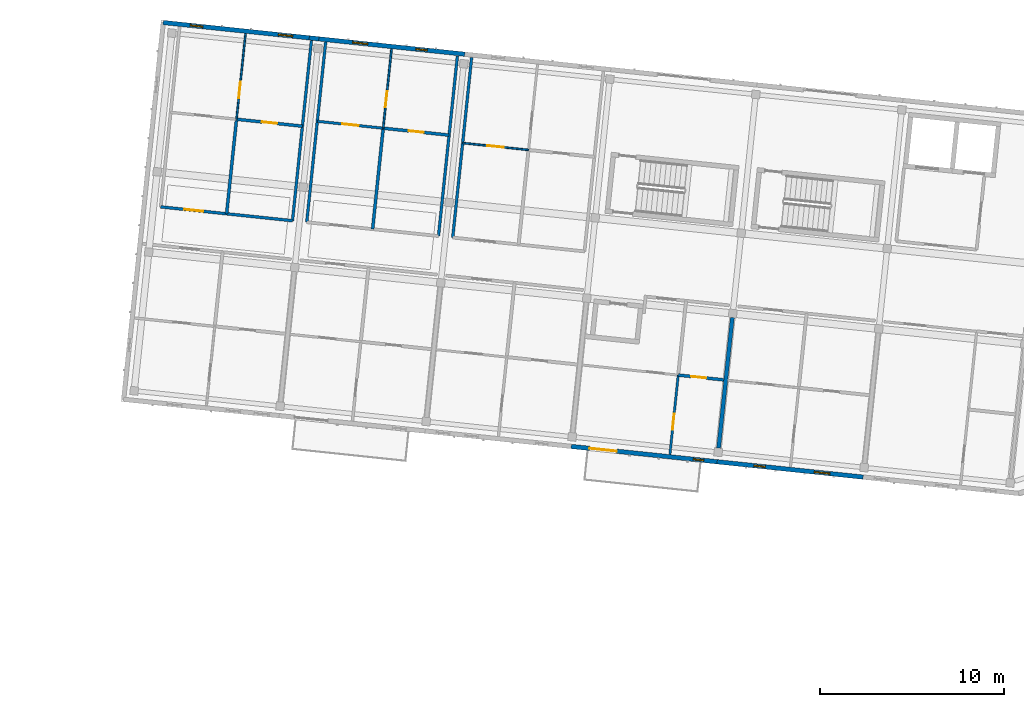
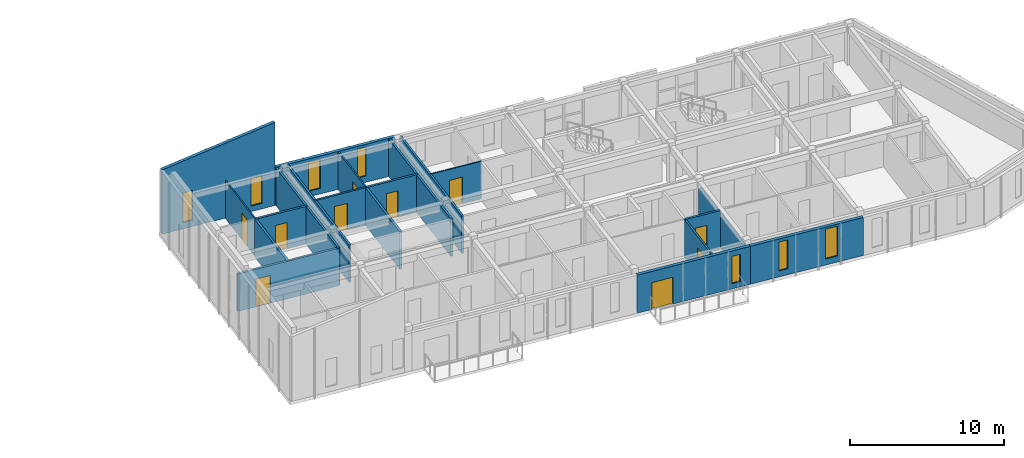
# One storey, part 25 of 45: 21 walls, 10 doors, 7 windows, 17 openings.
"""IFC4 building model written with IfcOpenShell, lengths in metres."""

from ifc_helpers import new_model, si_unit, direction, frame, frame_2d, origin, place, context, subcontext, project, spatial, polyline, rectangle, outline, extrude, material, layer, layer_set, type_object, element, fill, save


model = new_model("IFC4")

# Units and contexts
model_context = context("Model", 3, precision=1e-05, world=origin(), true_north=direction((0.0, 1.0)))
body_context = subcontext(model_context, "Body", "Model", "MODEL_VIEW")
ifc_project = project(units=[si_unit("LENGTHUNIT", "METRE"), si_unit("AREAUNIT", "SQUARE_METRE"), si_unit("VOLUMEUNIT", "CUBIC_METRE"), si_unit("PLANEANGLEUNIT", "RADIAN"), si_unit("MASSUNIT", "GRAM", prefix="KILO")], contexts=[model_context])

# Site, building, storey
site_placement = place(None, origin())
site = spatial("IfcSite", under=ifc_project, at=site_placement, CompositionType="ELEMENT")
building_placement = place(site_placement, origin())
building = spatial("IfcBuilding", under=site, at=building_placement, Name="Kestramere Prow Commons", CompositionType="ELEMENT")
storey_placement = place(building_placement, frame((0.0, 0.0, 31.14990234375)))
storey = spatial("IfcBuildingStorey", under=building, at=storey_placement, Name="L09", CompositionType="ELEMENT", Elevation=31.14990234375)

# Wall, openings, door, window
ifc_material_1 = material(Name="Fluoropolymer Standing-Seam Zinc-Aluminium Cladding", Category="aluminium")
ifc_layer_1 = layer(ifc_material_1, 0.239990234375)
ifc_layer_set_1 = layer_set([ifc_layer_1], Name="Fluoropolymer Standing-Seam Zinc-Aluminium Cladding")
wall_type_1 = type_object("IfcWallType", Name="EW-SEAM-240", PredefinedType="SOLIDWALL", material=ifc_layer_set_1)
wall_1_placement = place(storey_placement, frame((141.769775390625, 90.932861328125, 0.0), z_axis=(0.0, 0.0, 1.0), x_axis=(-0.994519156568, 0.104554517933, 0.0)))
wall_1 = element("IfcWall", 1, at=wall_1_placement, inside=storey, type_object=wall_type_1, Name="Block B L09 South Standing-Seam Wall 4", PredefinedType="SOLIDWALL", context=body_context, shape_type="SweptSolid", body=[
    extrude(rectangle(XDim=8.0, YDim=0.239990234375, at=frame_2d((4.0, 0.0))), origin(), (0.0, 0.0, 1.0), 3.0),
])
opening_1_placement = place(wall_1_placement, frame((5.4951171875, 0.0, 0.0)))
opening_1 = element("IfcOpeningElement", 2, at=opening_1_placement, cuts=wall_1, Name="Opening GD-BAL-01", PredefinedType="OPENING", context=body_context, shape_type="SweptSolid", body=[
    extrude(rectangle(XDim=1.5, YDim=2.1201171875, at=frame_2d((0.75, 1.06005859375))), frame((0.0, 0.135009765625, 0.0), z_axis=(0.0, -1.0, 0.0), x_axis=(1.0, 0.0, 0.0)), (0.0, 0.0, 1.0), 0.27001953125),
])
opening_2_placement = place(wall_1_placement, frame((0.72998046875, 0.0, 0.419921875)))
opening_2 = element("IfcOpeningElement", 3, at=opening_2_placement, cuts=wall_1, Name="Opening WN-01", PredefinedType="OPENING", context=body_context, shape_type="SweptSolid", body=[
    extrude(rectangle(XDim=0.580078125, YDim=2.159912109375, at=frame_2d((0.2900390625, 1.080078125))), frame((0.0, 0.135009765625, 0.0), z_axis=(0.0, -1.0, 0.0), x_axis=(1.0, 0.0, 0.0)), (0.0, 0.0, 1.0), 0.27001953125),
])
ifc_material_2 = material(Name="Thermally-Broken Anodised Aluminium Glazed", Category="aluminium")
door_type_1 = type_object("IfcDoorType", Name="GD-BAL-1500", OperationType="SLIDING_TO_RIGHT", PredefinedType="DOOR", material=ifc_material_2)
door_1_placement = place(opening_1_placement, origin())
door_1 = element("IfcDoor", 4, at=door_1_placement, inside=storey, type_object=door_type_1, Name="Block B L09 Balcony Door 4", OperationType="SLIDING_TO_RIGHT", OverallHeight=2.1201171875, OverallWidth=1.5, PredefinedType="DOOR", context=body_context, shape_type="SweptSolid", body=[
    extrude(rectangle(XDim=1.5, YDim=2.1201171875, at=frame_2d((0.75, 1.06005859375))), frame((0.0, 0.02490234375, 0.0), z_axis=(0.0, -1.0, 0.0), x_axis=(1.0, 0.0, 0.0)), (0.0, 0.0, 1.0), 0.050048828125),
])
fill(opening_1, door_1)
ifc_material_3 = material(Name="Low-E Laminated Double Glazing", Category="glass")
window_type_1 = type_object("IfcWindowType", Name="WN-NAR-580A", PartitioningType="SINGLE_PANEL", PredefinedType="WINDOW", material=ifc_material_3)
window_1_placement = place(opening_2_placement, origin())
window_1 = element("IfcWindow", 5, at=window_1_placement, inside=storey, type_object=window_type_1, Name="WN-B-L09-SR-3", OverallHeight=2.159912109375, OverallWidth=0.580078125, PartitioningType="SINGLE_PANEL", PredefinedType="WINDOW", context=body_context, shape_type="SweptSolid", body=[
    extrude(rectangle(XDim=0.580078125, YDim=2.159912109375, at=frame_2d((0.2900390625, 1.080078125))), frame((0.0, 0.030029296875, 0.0), z_axis=(0.0, -1.0, 0.0), x_axis=(1.0, 0.0, 0.0)), (0.0, 0.0, 1.0), 0.06005859375),
])
fill(opening_2, window_1)

# Wall, openings, windows
wall_2_placement = place(storey_placement, frame((149.72607421875, 90.0966796875, 0.0), z_axis=(0.0, 0.0, 1.0), x_axis=(-0.994522662826, 0.104521161134, 0.0)))
wall_2 = element("IfcWall", 6, at=wall_2_placement, inside=storey, type_object=wall_type_1, Name="Block B L09 South Standing-Seam Wall 5", PredefinedType="SOLIDWALL", context=body_context, shape_type="SweptSolid", body=[
    extrude(rectangle(XDim=8.0, YDim=0.239990234375, at=frame_2d((4.0, 0.0))), origin(), (0.0, 0.0, 1.0), 3.0),
])
opening_3_placement = place(wall_2_placement, frame((1.821044921875, 0.0, 0.47998046875)))
opening_3 = element("IfcOpeningElement", 7, at=opening_3_placement, cuts=wall_2, Name="Opening WN-15", PredefinedType="OPENING", context=body_context, shape_type="SweptSolid", body=[
    extrude(rectangle(XDim=0.860107421875, YDim=2.360107421875, at=frame_2d((0.43017578125, 1.18017578125))), frame((0.0, 0.135009765625, 0.0), z_axis=(0.0, -1.0, 0.0), x_axis=(1.0, 0.0, 0.0)), (0.0, 0.0, 1.0), 0.27001953125),
])
opening_4_placement = place(wall_2_placement, frame((5.3623046875, 0.0, 0.47998046875)))
opening_4 = element("IfcOpeningElement", 8, at=opening_4_placement, cuts=wall_2, Name="Opening WN-03", PredefinedType="OPENING", context=body_context, shape_type="SweptSolid", body=[
    extrude(rectangle(XDim=0.6201171875, YDim=2.280029296875, at=frame_2d((0.31005859375, 1.14013671875))), frame((0.0, 0.135009765625, 0.0), z_axis=(0.0, -1.0, 0.0), x_axis=(1.0, 0.0, 0.0)), (0.0, 0.0, 1.0), 0.27001953125),
])
window_type_2 = type_object("IfcWindowType", Name="WN-NAR-620A", PartitioningType="SINGLE_PANEL", PredefinedType="WINDOW", material=ifc_material_3)
window_2_placement = place(opening_4_placement, origin())
window_2 = element("IfcWindow", 9, at=window_2_placement, inside=storey, type_object=window_type_2, Name="WN-B-L09-S-4-10", OverallHeight=2.280029296875, OverallWidth=0.6201171875, PartitioningType="SINGLE_PANEL", PredefinedType="WINDOW", context=body_context, shape_type="SweptSolid", body=[
    extrude(rectangle(XDim=0.6201171875, YDim=2.280029296875, at=frame_2d((0.31005859375, 1.14013671875))), frame((0.0, 0.030029296875, 0.0), z_axis=(0.0, -1.0, 0.0), x_axis=(1.0, 0.0, 0.0)), (0.0, 0.0, 1.0), 0.06005859375),
])
fill(opening_4, window_2)
window_type_3 = type_object("IfcWindowType", Name="WN-NAR-860A", PartitioningType="DOUBLE_PANEL_VERTICAL", PredefinedType="WINDOW", material=ifc_material_3)
window_3_placement = place(opening_3_placement, origin())
window_3 = element("IfcWindow", 10, at=window_3_placement, inside=storey, type_object=window_type_3, Name="WN-B-L09-S-4-00", OverallHeight=2.360107421875, OverallWidth=0.860107421875, PartitioningType="SINGLE_PANEL", PredefinedType="WINDOW", context=body_context, shape_type="SweptSolid", body=[
    extrude(rectangle(XDim=0.860107421875, YDim=2.360107421875, at=frame_2d((0.43017578125, 1.18017578125))), frame((0.0, 0.030029296875, 0.0), z_axis=(0.0, -1.0, 0.0), x_axis=(1.0, 0.0, 0.0)), (0.0, 0.0, 1.0), 0.06005859375),
])
fill(opening_3, window_3)

# Wall
wall_3_placement = place(storey_placement, frame((119.53759765625, 114.033447265625, 0.0), z_axis=(0.0, 0.0, 1.0), x_axis=(0.99451309317, -0.104612176701, 0.0)))
element("IfcWall", 11, at=wall_3_placement, inside=storey, type_object=wall_type_1, Name="Block B L09 North Step-Back Spandrel Wall 1", PredefinedType="SOLIDWALL", context=body_context, shape_type="SweptSolid", body=[
    extrude(rectangle(XDim=0.525146484375, YDim=0.239990234375, at=frame_2d((0.2626953125, 0.0))), origin(), (0.0, 0.0, 1.0), 3.0),
])

# Wall, openings, windows
wall_4_placement = place(storey_placement, frame((111.58154296875, 114.86962890625, 0.0), z_axis=(0.0, 0.0, 1.0), x_axis=(0.994522329422, -0.104524333444, 0.0)))
wall_4 = element("IfcWall", 12, at=wall_4_placement, inside=storey, type_object=wall_type_1, Name="Block B L09 North Standing-Seam Wall 1", PredefinedType="SOLIDWALL", context=body_context, shape_type="SweptSolid", body=[
    extrude(outline(polyline([(0.0, 0.0), (7.999755859375, 0.0), (8.0, 6.56884765625), (0.0, 5.08447265625), (0.0, 0.0)])), frame((0.0, 0.1201171875, 0.0), z_axis=(0.0, -1.0, 0.0), x_axis=(1.0, 0.0, 0.0)), (0.0, 0.0, 1.0), 0.239990234375),
])
opening_5_placement = place(wall_4_placement, frame((1.472900390625, 0.0, 0.5)))
opening_5 = element("IfcOpeningElement", 13, at=opening_5_placement, cuts=wall_4, Name="Opening WN-07", PredefinedType="OPENING", context=body_context, shape_type="SweptSolid", body=[
    extrude(rectangle(XDim=0.699951171875, YDim=2.360107421875, at=frame_2d((0.35009765625, 1.18017578125))), frame((0.0, 0.135009765625, 0.0), z_axis=(0.0, -1.0, 0.0), x_axis=(1.0, 0.0, 0.0)), (0.0, 0.0, 1.0), 0.27001953125),
])
opening_6_placement = place(wall_4_placement, frame((6.31494140625, 0.0, 0.43994140625)))
opening_6 = element("IfcOpeningElement", 14, at=opening_6_placement, cuts=wall_4, Name="Opening WN-11", PredefinedType="OPENING", context=body_context, shape_type="SweptSolid", body=[
    extrude(rectangle(XDim=0.780029296875, YDim=2.199951171875, at=frame_2d((0.39013671875, 1.10009765625))), frame((0.0, 0.135009765625, 0.0), z_axis=(0.0, -1.0, 0.0), x_axis=(1.0, 0.0, 0.0)), (0.0, 0.0, 1.0), 0.27001953125),
])
window_type_4 = type_object("IfcWindowType", Name="WN-NAR-700A", PartitioningType="SINGLE_PANEL", PredefinedType="WINDOW", material=ifc_material_3)
window_4_placement = place(opening_5_placement, origin())
window_4 = element("IfcWindow", 15, at=window_4_placement, inside=storey, type_object=window_type_4, Name="WN-B-L09-N-0-0", OverallHeight=2.360107421875, OverallWidth=0.699951171875, PartitioningType="SINGLE_PANEL", PredefinedType="WINDOW", context=body_context, shape_type="SweptSolid", body=[
    extrude(rectangle(XDim=0.699951171875, YDim=2.360107421875, at=frame_2d((0.35009765625, 1.18017578125))), frame((0.0, 0.030029296875, 0.0), z_axis=(0.0, -1.0, 0.0), x_axis=(1.0, 0.0, 0.0)), (0.0, 0.0, 1.0), 0.06005859375),
])
fill(opening_5, window_4)
window_type_5 = type_object("IfcWindowType", Name="WN-NAR-780A", PartitioningType="SINGLE_PANEL", PredefinedType="WINDOW", material=ifc_material_3)
window_5_placement = place(opening_6_placement, origin())
window_5 = element("IfcWindow", 16, at=window_5_placement, inside=storey, type_object=window_type_5, Name="WN-B-L09-N-0-1", OverallHeight=2.199951171875, OverallWidth=0.780029296875, PartitioningType="SINGLE_PANEL", PredefinedType="WINDOW", context=body_context, shape_type="SweptSolid", body=[
    extrude(rectangle(XDim=0.780029296875, YDim=2.199951171875, at=frame_2d((0.39013671875, 1.10009765625))), frame((0.0, 0.030029296875, 0.0), z_axis=(0.0, -1.0, 0.0), x_axis=(1.0, 0.0, 0.0)), (0.0, 0.0, 1.0), 0.06005859375),
])
fill(opening_6, window_5)

wall_5_placement = place(storey_placement, frame((120.059814453125, 113.978515625, 0.0), z_axis=(0.0, 0.0, 1.0), x_axis=(0.994522329422, -0.104524333444, 0.0)))
wall_5 = element("IfcWall", 17, at=wall_5_placement, inside=storey, type_object=wall_type_1, Name="Block B L09 North Standing-Seam Wall 2", PredefinedType="SOLIDWALL", context=body_context, shape_type="SweptSolid", body=[
    extrude(rectangle(XDim=7.999755859375, YDim=0.239990234375, at=frame_2d((4.0, 0.0))), origin(), (0.0, 0.0, 1.0), 3.0),
])
opening_7_placement = place(wall_5_placement, frame((1.847900390625, 0.0, 0.43994140625)))
opening_7 = element("IfcOpeningElement", 18, at=opening_7_placement, cuts=wall_5, Name="Opening WN-14", PredefinedType="OPENING", context=body_context, shape_type="SweptSolid", body=[
    extrude(rectangle(XDim=0.840087890625, YDim=2.280029296875, at=frame_2d((0.419921875, 1.14013671875))), frame((0.0, 0.135009765625, 0.0), z_axis=(0.0, -1.0, 0.0), x_axis=(1.0, 0.0, 0.0)), (0.0, 0.0, 1.0), 0.27001953125),
])
opening_8_placement = place(wall_5_placement, frame((5.323974609375, 0.0, 0.5)))
opening_8 = element("IfcOpeningElement", 19, at=opening_8_placement, cuts=wall_5, Name="Opening WN-03", PredefinedType="OPENING", context=body_context, shape_type="SweptSolid", body=[
    extrude(rectangle(XDim=0.6201171875, YDim=2.280029296875, at=frame_2d((0.31005859375, 1.14013671875))), frame((0.0, 0.135009765625, 0.0), z_axis=(0.0, -1.0, 0.0), x_axis=(1.0, 0.0, 0.0)), (0.0, 0.0, 1.0), 0.27001953125),
])
window_6_placement = place(opening_8_placement, origin())
window_6 = element("IfcWindow", 20, at=window_6_placement, inside=storey, type_object=window_type_2, Name="WN-B-L09-N-1-1", OverallHeight=2.280029296875, OverallWidth=0.6201171875, PartitioningType="SINGLE_PANEL", PredefinedType="WINDOW", context=body_context, shape_type="SweptSolid", body=[
    extrude(rectangle(XDim=0.6201171875, YDim=2.280029296875, at=frame_2d((0.31005859375, 1.14013671875))), frame((0.0, 0.030029296875, 0.0), z_axis=(0.0, -1.0, 0.0), x_axis=(1.0, 0.0, 0.0)), (0.0, 0.0, 1.0), 0.06005859375),
])
fill(opening_8, window_6)
window_type_6 = type_object("IfcWindowType", Name="WN-NAR-840A", PartitioningType="DOUBLE_PANEL_VERTICAL", PredefinedType="WINDOW", material=ifc_material_3)
window_7_placement = place(opening_7_placement, origin())
window_7 = element("IfcWindow", 21, at=window_7_placement, inside=storey, type_object=window_type_6, Name="WN-B-L09-N-1-0", OverallHeight=2.280029296875, OverallWidth=0.840087890625, PartitioningType="SINGLE_PANEL", PredefinedType="WINDOW", context=body_context, shape_type="SweptSolid", body=[
    extrude(rectangle(XDim=0.840087890625, YDim=2.280029296875, at=frame_2d((0.419921875, 1.14013671875))), frame((0.0, 0.030029296875, 0.0), z_axis=(0.0, -1.0, 0.0), x_axis=(1.0, 0.0, 0.0)), (0.0, 0.0, 1.0), 0.06005859375),
])
fill(opening_7, window_7)

# Wall, opening, door
ifc_material_4 = material(Name="Fire-Rated Calcium Silicate Wall")
ifc_layer_2 = layer(ifc_material_4, 0.155029296875)
ifc_layer_set_2 = layer_set([ifc_layer_2], Name="Fire-Rated Calcium Silicate Wall")
wall_type_2 = type_object("IfcWallType", Name="W-FIRE-150", PredefinedType="PARTITIONING", material=ifc_layer_set_2)
wall_6_placement = place(storey_placement, frame((111.44580078125, 104.82373046875, 0.0), z_axis=(0.0, 0.0, 1.0), x_axis=(0.994522671024, -0.104521083137, 0.0)))
wall_6 = element("IfcWall", 22, at=wall_6_placement, inside=storey, type_object=wall_type_2, Name="Interior Partition PW-B-L09-CN-0", PredefinedType="PARTITIONING", context=body_context, shape_type="SweptSolid", body=[
    extrude(rectangle(XDim=7.219970703125, YDim=0.155029296875, at=frame_2d((3.60986328125, 0.0))), origin(), (0.0, 0.0, 1.0), 2.97021484375),
])
opening_9_placement = place(wall_6_placement, frame((1.304931640625, 0.0, 0.0)))
opening_9 = element("IfcOpeningElement", 23, at=opening_9_placement, cuts=wall_6, Name="Opening ID-05", PredefinedType="OPENING", context=body_context, shape_type="SweptSolid", body=[
    extrude(rectangle(XDim=1.02001953125, YDim=2.199951171875, at=frame_2d((0.510009765625, 1.10009765625))), frame((0.0, 0.092529296875, 0.0), z_axis=(0.0, -1.0, 0.0), x_axis=(1.0, 0.0, 0.0)), (0.0, 0.0, 1.0), 0.18505859375),
])
ifc_material_5 = material(Name="Hardwood Fire-Rated Flat Entrance Door", Category="wood")
door_type_2 = type_object("IfcDoorType", Name="FD-ENT-02", OperationType="NOTDEFINED", PredefinedType="DOOR", material=ifc_material_5)
door_2_placement = place(opening_9_placement, origin())
door_2 = element("IfcDoor", 24, at=door_2_placement, inside=storey, type_object=door_type_2, Name="Interior Door DR-B-L09-ENT-N0", OperationType="SINGLE_SWING_RIGHT", OverallHeight=2.199951171875, OverallWidth=1.02001953125, PredefinedType="DOOR", context=body_context, shape_type="SweptSolid", body=[
    extrude(rectangle(XDim=1.02001953125, YDim=2.199951171875, at=frame_2d((0.510009765625, 1.10009765625))), frame((0.0, 0.02490234375, 0.0), z_axis=(0.0, -1.0, 0.0), x_axis=(1.0, 0.0, 0.0)), (0.0, 0.0, 1.0), 0.050048828125),
])
fill(opening_9, door_2)

ifc_material_6 = material(Name="Gypsum Acoustic Drywall")
ifc_layer_3 = layer(ifc_material_6, 0.10009765625)
ifc_layer_set_3 = layer_set([ifc_layer_3], Name="Gypsum Acoustic Drywall")
wall_type_3 = type_object("IfcWallType", Name="W-PART-100", PredefinedType="PARTITIONING", material=ifc_layer_set_3)
wall_7_placement = place(storey_placement, frame((123.570068359375, 109.10986328125, 0.0), z_axis=(0.0, 0.0, 1.0), x_axis=(0.104514950243, 0.994523315552, 0.0)))
wall_7 = element("IfcWall", 25, at=wall_7_placement, inside=storey, type_object=wall_type_3, Name="Interior Partition PW-B-L09-LB-N1", PredefinedType="PARTITIONING", context=body_context, shape_type="SweptSolid", body=[
    extrude(rectangle(XDim=4.340087890625, YDim=0.10009765625, at=frame_2d((2.169921875, 0.0))), origin(), (0.0, 0.0, 1.0), 2.97021484375),
])
opening_10_placement = place(wall_7_placement, frame((1.14990234375, 0.0, 0.0)))
opening_10 = element("IfcOpeningElement", 26, at=opening_10_placement, cuts=wall_7, Name="Opening ID-10", PredefinedType="OPENING", context=body_context, shape_type="SweptSolid", body=[
    extrude(rectangle(XDim=0.8798828125, YDim=2.10009765625, at=frame_2d((0.43994140625, 1.050048828125))), frame((0.0, 0.06494140625, 0.0), z_axis=(0.0, -1.0, 0.0), x_axis=(1.0, 0.0, 0.0)), (0.0, 0.0, 1.0), 0.130126953125),
])
ifc_material_7 = material(Name="Engineered Timber Bedroom Door", Category="wood")
door_type_3 = type_object("IfcDoorType", Name="D-RM-03", OperationType="NOTDEFINED", PredefinedType="DOOR", material=ifc_material_7)
door_3_placement = place(opening_10_placement, origin())
door_3 = element("IfcDoor", 27, at=door_3_placement, inside=storey, type_object=door_type_3, Name="Interior Door DR-B-L09-BED-N1", OperationType="SINGLE_SWING_LEFT", OverallHeight=2.10009765625, OverallWidth=0.8798828125, PredefinedType="DOOR", context=body_context, shape_type="SweptSolid", body=[
    extrude(rectangle(XDim=0.8798828125, YDim=2.10009765625, at=frame_2d((0.43994140625, 1.050048828125))), frame((0.0, 0.02490234375, 0.0), z_axis=(0.0, -1.0, 0.0), x_axis=(1.0, 0.0, 0.0)), (0.0, 0.0, 1.0), 0.050048828125),
])
fill(opening_10, door_3)

ifc_material_8 = material(Name="Lightweight Blockwork and Plaster", Category="masonry")
ifc_layer_4 = layer(ifc_material_8, 0.1298828125)
ifc_layer_set_4 = layer_set([ifc_layer_4], Name="Lightweight Blockwork and Plaster")
wall_type_4 = type_object("IfcWallType", Name="W-PART-130", PredefinedType="PARTITIONING", material=ifc_layer_set_4)
wall_8_placement = place(storey_placement, frame((139.193115234375, 91.339599609375, 0.0), z_axis=(0.0, 0.0, 1.0), x_axis=(0.104576436892, 0.994516851967, 0.0)))
wall_8 = element("IfcWall", 28, at=wall_8_placement, inside=storey, type_object=wall_type_4, Name="Interior Partition PW-B-L09-LB-S3", PredefinedType="PARTITIONING", context=body_context, shape_type="SweptSolid", body=[
    extrude(rectangle(XDim=4.33984375, YDim=0.1298828125, at=frame_2d((2.169921875, 0.0))), origin(), (0.0, 0.0, 1.0), 2.97021484375),
])
opening_11_placement = place(wall_8_placement, frame((1.35009765625, 0.0, 0.0)))
opening_11 = element("IfcOpeningElement", 29, at=opening_11_placement, cuts=wall_8, Name="Opening ID-10", PredefinedType="OPENING", context=body_context, shape_type="SweptSolid", body=[
    extrude(rectangle(XDim=0.8798828125, YDim=2.10009765625, at=frame_2d((0.43994140625, 1.050048828125))), frame((0.0, 0.079833984375, 0.0), z_axis=(0.0, -1.0, 0.0), x_axis=(1.0, 0.0, 0.0)), (0.0, 0.0, 1.0), 0.159912109375),
])
door_4_placement = place(opening_11_placement, origin())
door_4 = element("IfcDoor", 30, at=door_4_placement, inside=storey, type_object=door_type_3, Name="Interior Door DR-B-L09-BED-S3", OperationType="SINGLE_SWING_RIGHT", OverallHeight=2.10009765625, OverallWidth=0.8798828125, PredefinedType="DOOR", context=body_context, shape_type="SweptSolid", body=[
    extrude(rectangle(XDim=0.8798828125, YDim=2.10009765625, at=frame_2d((0.43994140625, 1.050048828125))), frame((0.0, 0.02490234375, 0.0), z_axis=(0.0, -1.0, 0.0), x_axis=(1.0, 0.0, 0.0)), (0.0, 0.0, 1.0), 0.050048828125),
])
fill(opening_11, door_4)

ifc_material_9 = material(Name="Masonry Compartment Wall", Category="masonry")
ifc_layer_5 = layer(ifc_material_9, 0.139892578125)
ifc_layer_set_5 = layer_set([ifc_layer_5], Name="Masonry Compartment Wall")
wall_type_5 = type_object("IfcWallType", Name="W-PART-140", PredefinedType="PARTITIONING", material=ifc_layer_set_5)
wall_9_placement = place(storey_placement, frame((119.97998046875, 109.4873046875, 0.0), z_axis=(0.0, 0.0, 1.0), x_axis=(0.994518785821, -0.104558044398, 0.0)))
wall_9 = element("IfcWall", 31, at=wall_9_placement, inside=storey, type_object=wall_type_5, Name="Interior Partition PW-B-L09-MIDN1-1", PredefinedType="PARTITIONING", context=body_context, shape_type="SweptSolid", body=[
    extrude(rectangle(XDim=3.60986328125, YDim=0.139892578125, at=frame_2d((1.804931640625, 0.0))), origin(), (0.0, 0.0, 1.0), 2.97021484375),
])
opening_12_placement = place(wall_9_placement, frame((1.35498046875, 0.0, 0.0)))
opening_12 = element("IfcOpeningElement", 32, at=opening_12_placement, cuts=wall_9, Name="Opening ID-08", PredefinedType="OPENING", context=body_context, shape_type="SweptSolid", body=[
    extrude(rectangle(XDim=0.89990234375, YDim=2.10009765625, at=frame_2d((0.449951171875, 1.050048828125))), frame((0.0, 0.0849609375, 0.0), z_axis=(0.0, -1.0, 0.0), x_axis=(1.0, 0.0, 0.0)), (0.0, 0.0, 1.0), 0.169921875),
])
ifc_material_10 = material(Name="Engineered Timber Flush Door", Category="wood")
door_type_4 = type_object("IfcDoorType", Name="D-RM-01", OperationType="NOTDEFINED", PredefinedType="DOOR", material=ifc_material_10)
door_5_placement = place(opening_12_placement, origin())
door_5 = element("IfcDoor", 33, at=door_5_placement, inside=storey, type_object=door_type_4, Name="Interior Door DR-B-L09-KL-N1", OperationType="SINGLE_SWING_LEFT", OverallHeight=2.10009765625, OverallWidth=0.89990234375, PredefinedType="DOOR", context=body_context, shape_type="SweptSolid", body=[
    extrude(rectangle(XDim=0.89990234375, YDim=2.10009765625, at=frame_2d((0.449951171875, 1.050048828125))), frame((0.0, 0.02490234375, 0.0), z_axis=(0.0, -1.0, 0.0), x_axis=(1.0, 0.0, 0.0)), (0.0, 0.0, 1.0), 0.050048828125),
])
fill(opening_12, door_5)

# Walls
ifc_layer_6 = layer(ifc_material_9, 0.14990234375)
ifc_layer_set_6 = layer_set([ifc_layer_6], Name="Masonry Compartment Wall")
wall_type_6 = type_object("IfcWallType", Name="W-PART-150", PredefinedType="PARTITIONING", material=ifc_layer_set_6)
for number, where, z_axis, x_axis, name in (
    (34, (118.626220703125, 104.069091796875, 0.0), (0.0, 0.0, 1.0), (0.104508379977, 0.994524006002, 0.0), "Interior Partition PW-B-L09-NWR-0"),
    (35, (119.40185546875, 103.987548828125, 0.0), (0.0, 0.0, 1.0), (0.10453284543, 0.994521434775, 0.0), "Interior Partition PW-B-L09-NWL-1"),
    (36, (126.582275390625, 103.23291015625, 0.0), (0.0, 0.0, 1.0), (0.10453284543, 0.994521434775, 0.0), "Interior Partition PW-B-L09-NWR-1"),
    (37, (127.358154296875, 103.1513671875, 0.0), (0.0, 0.0, 1.0), (0.104508379977, 0.994524006002, 0.0), "Interior Partition PW-B-L09-NWL-2"),
):
    element("IfcWall", number, at=place(storey_placement, frame(where, z_axis=z_axis, x_axis=x_axis)), inside=storey, type_object=wall_type_6, Name=name, PredefinedType="PARTITIONING", context=body_context, shape_type="SweptSolid", body=[
        extrude(rectangle(XDim=9.869873046875, YDim=0.14990234375, at=frame_2d((4.93505859375, 0.0))), origin(), (0.0, 0.0, 1.0), 2.97021484375),
    ])

# Wall, opening, door
ifc_layer_7 = layer(ifc_material_6, 0.094970703125)
ifc_layer_set_7 = layer_set([ifc_layer_7], Name="Gypsum Acoustic Drywall")
wall_type_7 = type_object("IfcWallType", Name="W-PART-95", PredefinedType="PARTITIONING", material=ifc_layer_set_7)
wall_10_placement = place(storey_placement, frame((115.577392578125, 109.59814453125, 0.0), z_axis=(0.0, 0.0, 1.0), x_axis=(0.104527618124, 0.994521984196, 0.0)))
wall_10 = element("IfcWall", 38, at=wall_10_placement, inside=storey, type_object=wall_type_7, Name="Interior Partition PW-B-L09-LB-N0", PredefinedType="PARTITIONING", context=body_context, shape_type="SweptSolid", body=[
    extrude(rectangle(XDim=4.68994140625, YDim=0.094970703125, at=frame_2d((2.344970703125, 0.0))), origin(), (0.0, 0.0, 1.0), 2.97021484375),
])
opening_13_placement = place(wall_10_placement, frame((1.14990234375, 0.0, 0.0)))
opening_13 = element("IfcOpeningElement", 39, at=opening_13_placement, cuts=wall_10, Name="Opening ID-08", PredefinedType="OPENING", context=body_context, shape_type="SweptSolid", body=[
    extrude(rectangle(XDim=0.89990234375, YDim=2.10009765625, at=frame_2d((0.449951171875, 1.050048828125))), frame((0.0, 0.0625, 0.0), z_axis=(0.0, -1.0, 0.0), x_axis=(1.0, 0.0, 0.0)), (0.0, 0.0, 1.0), 0.125),
])
door_6_placement = place(opening_13_placement, origin())
door_6 = element("IfcDoor", 40, at=door_6_placement, inside=storey, type_object=door_type_4, Name="Interior Door DR-B-L09-BED-N0", OperationType="SINGLE_SWING_LEFT", OverallHeight=2.10009765625, OverallWidth=0.89990234375, PredefinedType="DOOR", context=body_context, shape_type="SweptSolid", body=[
    extrude(rectangle(XDim=0.89990234375, YDim=2.10009765625, at=frame_2d((0.449951171875, 1.050048828125))), frame((0.0, 0.02490234375, 0.0), z_axis=(0.0, -1.0, 0.0), x_axis=(1.0, 0.0, 0.0)), (0.0, 0.0, 1.0), 0.050048828125),
])
fill(opening_13, door_6)

wall_11_placement = place(storey_placement, frame((127.8994140625, 108.302978515625, 0.0), z_axis=(0.0, 0.0, 1.0), x_axis=(0.994519525119, -0.104551012229, 0.0)))
wall_11 = element("IfcWall", 41, at=wall_11_placement, inside=storey, type_object=wall_type_7, Name="Interior Partition PW-B-L09-MIDN1-2", PredefinedType="PARTITIONING", context=body_context, shape_type="SweptSolid", body=[
    extrude(rectangle(XDim=3.610107421875, YDim=0.094970703125, at=frame_2d((1.80517578125, 0.0))), origin(), (0.0, 0.0, 1.0), 2.97021484375),
])
opening_14_placement = place(wall_11_placement, frame((1.35498046875, 0.0, 0.0)))
opening_14 = element("IfcOpeningElement", 42, at=opening_14_placement, cuts=wall_11, Name="Opening ID-08", PredefinedType="OPENING", context=body_context, shape_type="SweptSolid", body=[
    extrude(rectangle(XDim=0.89990234375, YDim=2.10009765625, at=frame_2d((0.449951171875, 1.050048828125))), frame((0.0, 0.0625, 0.0), z_axis=(0.0, -1.0, 0.0), x_axis=(1.0, 0.0, 0.0)), (0.0, 0.0, 1.0), 0.125),
])
door_7_placement = place(opening_14_placement, origin())
door_7 = element("IfcDoor", 43, at=door_7_placement, inside=storey, type_object=door_type_4, Name="Interior Door DR-B-L09-KL-N2", OperationType="SINGLE_SWING_LEFT", OverallHeight=2.10009765625, OverallWidth=0.89990234375, PredefinedType="DOOR", context=body_context, shape_type="SweptSolid", body=[
    extrude(rectangle(XDim=0.89990234375, YDim=2.10009765625, at=frame_2d((0.449951171875, 1.050048828125))), frame((0.0, 0.02490234375, 0.0), z_axis=(0.0, -1.0, 0.0), x_axis=(1.0, 0.0, 0.0)), (0.0, 0.0, 1.0), 0.050048828125),
])
fill(opening_14, door_7)

ifc_material_11 = material(Name="Waterproof Sanitary Masonry Wall", Category="masonry")
ifc_layer_8 = layer(ifc_material_11, 0.1650390625)
ifc_layer_set_8 = layer_set([ifc_layer_8], Name="Waterproof Sanitary Masonry Wall")
wall_type_8 = type_object("IfcWallType", Name="W-PLUMB-150", PredefinedType="PLUMBINGWALL", material=ifc_layer_set_8)
wall_12_placement = place(storey_placement, frame((139.64697265625, 95.65576171875, 0.0), z_axis=(0.0, 0.0, 1.0), x_axis=(0.994522631864, -0.10452145574, 0.0)))
wall_12 = element("IfcWall", 44, at=wall_12_placement, inside=storey, type_object=wall_type_8, Name="Interior Partition PW-B-L09-MIDS2-3", PredefinedType="PLUMBINGWALL", context=body_context, shape_type="SweptSolid", body=[
    extrude(rectangle(XDim=2.489990234375, YDim=0.1650390625, at=frame_2d((1.2451171875, 0.0))), origin(), (0.0, 0.0, 1.0), 2.97021484375),
])
opening_15_placement = place(wall_12_placement, frame((0.702880859375, 0.0, 0.0)))
opening_15 = element("IfcOpeningElement", 45, at=opening_15_placement, cuts=wall_12, Name="Opening ID-11", PredefinedType="OPENING", context=body_context, shape_type="SweptSolid", body=[
    extrude(rectangle(XDim=0.820068359375, YDim=2.080078125, at=frame_2d((0.41015625, 1.0400390625))), frame((0.0, 0.097412109375, 0.0), z_axis=(0.0, -1.0, 0.0), x_axis=(1.0, 0.0, 0.0)), (0.0, 0.0, 1.0), 0.195068359375),
])
ifc_material_12 = material(Name="Moisture-Resistant Timber Bathroom Door", Category="wood")
door_type_5 = type_object("IfcDoorType", Name="D-BT-01", OperationType="NOTDEFINED", PredefinedType="DOOR", material=ifc_material_12)
door_8_placement = place(opening_15_placement, origin())
door_8 = element("IfcDoor", 46, at=door_8_placement, inside=storey, type_object=door_type_5, Name="Interior Door DR-B-L09-BTH-S3", OperationType="SINGLE_SWING_LEFT", OverallHeight=2.080078125, OverallWidth=0.820068359375, PredefinedType="DOOR", context=body_context, shape_type="SweptSolid", body=[
    extrude(rectangle(XDim=0.820068359375, YDim=2.080078125, at=frame_2d((0.41015625, 1.0400390625))), frame((0.0, 0.02490234375, 0.0), z_axis=(0.0, -1.0, 0.0), x_axis=(1.0, 0.0, 0.0)), (0.0, 0.0, 1.0), 0.050048828125),
])
fill(opening_15, door_8)

wall_13_placement = place(storey_placement, frame((115.577392578125, 109.59814453125, 0.0), z_axis=(0.0, 0.0, 1.0), x_axis=(0.994518785821, -0.104558044398, 0.0)))
wall_13 = element("IfcWall", 47, at=wall_13_placement, inside=storey, type_object=wall_type_8, Name="Interior Partition PW-B-L09-MIDN2-0", PredefinedType="PLUMBINGWALL", context=body_context, shape_type="SweptSolid", body=[
    extrude(rectangle(XDim=3.60986328125, YDim=0.1650390625, at=frame_2d((1.804931640625, 0.0))), origin(), (0.0, 0.0, 1.0), 2.97021484375),
])
opening_16_placement = place(wall_13_placement, frame((1.39501953125, 0.0, 0.0)))
opening_16 = element("IfcOpeningElement", 48, at=opening_16_placement, cuts=wall_13, Name="Opening ID-11", PredefinedType="OPENING", context=body_context, shape_type="SweptSolid", body=[
    extrude(rectangle(XDim=0.820068359375, YDim=2.080078125, at=frame_2d((0.41015625, 1.0400390625))), frame((0.0, 0.097412109375, 0.0), z_axis=(0.0, -1.0, 0.0), x_axis=(1.0, 0.0, 0.0)), (0.0, 0.0, 1.0), 0.195068359375),
])
door_9_placement = place(opening_16_placement, origin())
door_9 = element("IfcDoor", 49, at=door_9_placement, inside=storey, type_object=door_type_5, Name="Interior Door DR-B-L09-BTH-N0", OperationType="SINGLE_SWING_RIGHT", OverallHeight=2.080078125, OverallWidth=0.820068359375, PredefinedType="DOOR", context=body_context, shape_type="SweptSolid", body=[
    extrude(rectangle(XDim=0.820068359375, YDim=2.080078125, at=frame_2d((0.41015625, 1.0400390625))), frame((0.0, 0.02490234375, 0.0), z_axis=(0.0, -1.0, 0.0), x_axis=(1.0, 0.0, 0.0)), (0.0, 0.0, 1.0), 0.050048828125),
])
fill(opening_16, door_9)

# Wall
wall_14_placement = place(storey_placement, frame((115.035888671875, 104.446533203125, 0.0), z_axis=(0.0, 0.0, 1.0), x_axis=(0.104537578263, 0.994520937301, 0.0)))
element("IfcWall", 50, at=wall_14_placement, inside=storey, type_object=wall_type_8, Name="Interior Partition PW-B-L09-KB-N0", PredefinedType="PLUMBINGWALL", context=body_context, shape_type="SweptSolid", body=[
    extrude(rectangle(XDim=5.179931640625, YDim=0.1650390625, at=frame_2d((2.58984375, 0.0))), origin(), (0.0, 0.0, 1.0), 2.97021484375),
])

# Wall, opening, door
wall_15_placement = place(storey_placement, frame((123.570068359375, 109.10986328125, 0.0), z_axis=(0.0, 0.0, 1.0), x_axis=(0.994526554618, -0.104484123955, 0.0)))
wall_15 = element("IfcWall", 51, at=wall_15_placement, inside=storey, type_object=wall_type_8, Name="Interior Partition PW-B-L09-MIDN2-1", PredefinedType="PLUMBINGWALL", context=body_context, shape_type="SweptSolid", body=[
    extrude(rectangle(XDim=3.610107421875, YDim=0.1650390625, at=frame_2d((1.80517578125, 0.0))), origin(), (0.0, 0.0, 1.0), 2.97021484375),
])
opening_17_placement = place(wall_15_placement, frame((1.39501953125, 0.0, 0.0)))
opening_17 = element("IfcOpeningElement", 52, at=opening_17_placement, cuts=wall_15, Name="Opening ID-11", PredefinedType="OPENING", context=body_context, shape_type="SweptSolid", body=[
    extrude(rectangle(XDim=0.820068359375, YDim=2.080078125, at=frame_2d((0.41015625, 1.0400390625))), frame((0.0, 0.097412109375, 0.0), z_axis=(0.0, -1.0, 0.0), x_axis=(1.0, 0.0, 0.0)), (0.0, 0.0, 1.0), 0.195068359375),
])
door_10_placement = place(opening_17_placement, origin())
door_10 = element("IfcDoor", 53, at=door_10_placement, inside=storey, type_object=door_type_5, Name="Interior Door DR-B-L09-BTH-N1", OperationType="SINGLE_SWING_RIGHT", OverallHeight=2.080078125, OverallWidth=0.820068359375, PredefinedType="DOOR", context=body_context, shape_type="SweptSolid", body=[
    extrude(rectangle(XDim=0.820068359375, YDim=2.080078125, at=frame_2d((0.41015625, 1.0400390625))), frame((0.0, 0.02490234375, 0.0), z_axis=(0.0, -1.0, 0.0), x_axis=(1.0, 0.0, 0.0)), (0.0, 0.0, 1.0), 0.050048828125),
])
fill(opening_17, door_10)

# Walls
wall_16_placement = place(storey_placement, frame((122.9921875, 103.610107421875, 0.0), z_axis=(0.0, 0.0, 1.0), x_axis=(0.104498634796, 0.994525030015, 0.0)))
element("IfcWall", 54, at=wall_16_placement, inside=storey, type_object=wall_type_8, Name="Interior Partition PW-B-L09-KB-N1", PredefinedType="PLUMBINGWALL", context=body_context, shape_type="SweptSolid", body=[
    extrude(rectangle(XDim=5.530029296875, YDim=0.1650390625, at=frame_2d((2.76513671875, 0.0))), origin(), (0.0, 0.0, 1.0), 2.97021484375),
])
ifc_material_13 = material(Name="Precast concrete C40/50", Category="concrete")
ifc_layer_9 = layer(ifc_material_13, 0.219970703125)
ifc_layer_set_9 = layer_set([ifc_layer_9], Name="Precast concrete C40/50")
wall_type_9 = type_object("IfcWallType", Name="W-XWALL-220", PredefinedType="SHEAR", material=ifc_layer_set_9)
wall_17_placement = place(storey_placement, frame((141.84814453125, 91.678955078125, 0.0), z_axis=(0.0, 0.0, 1.0), x_axis=(0.104553253602, 0.994519289487, 0.0)))
element("IfcWall", 55, at=wall_17_placement, inside=storey, type_object=wall_type_9, Name="Block B L09 Precast Cross-Wall 4", PredefinedType="SHEAR", context=body_context, shape_type="SweptSolid", body=[
    extrude(rectangle(XDim=7.150146484375, YDim=0.219970703125, at=frame_2d((3.5751953125, 0.0))), origin(), (0.0, 0.0, 1.0), 2.5),
])

save(model, "model.ifc")
